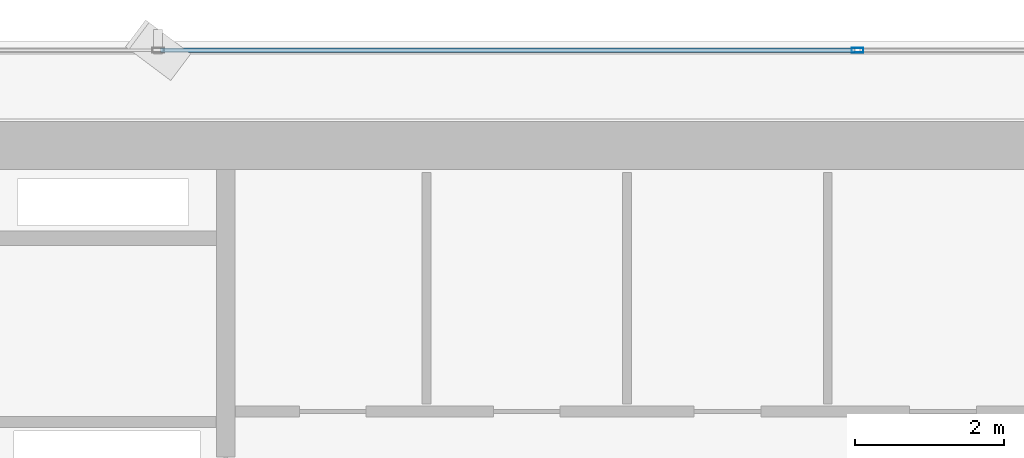
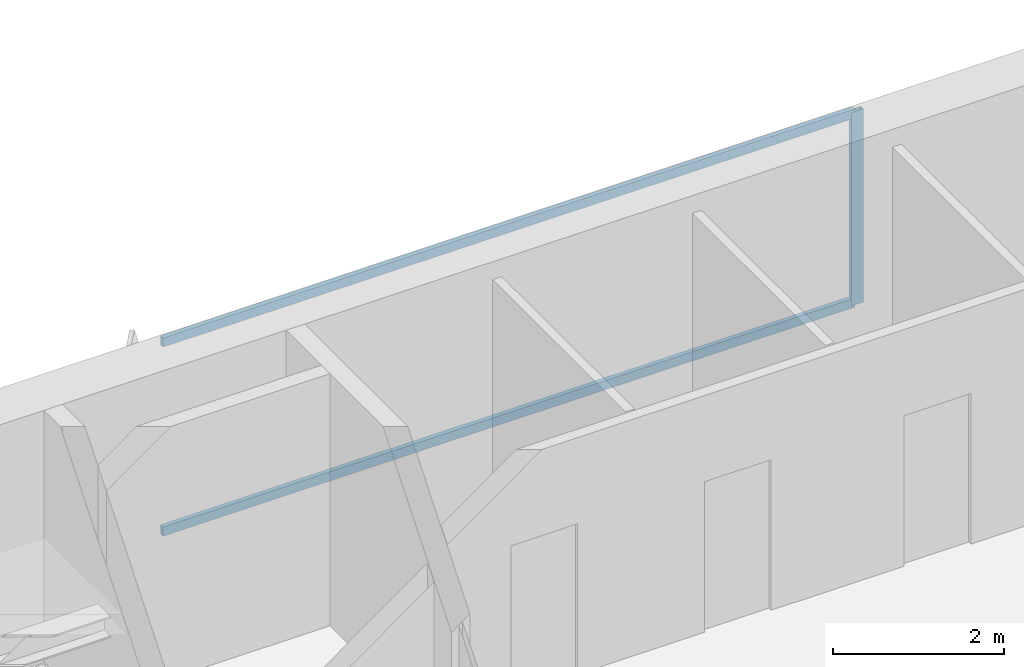
# One storey, part 16 of 28: 3 members, 1 element without a shape of its own.
"""IFC4 building model written with IfcOpenShell, lengths in metres."""

import ifcopenshell
import ifcopenshell.guid

model = None  # the IFC model being written
_history = None  # IfcOwnerHistory: only IFC2X3 demands one
_inside = {}  # id of a spatial element -> (the spatial element, [elements in it])
_under = {}  # id of a project, library or spatial element -> (it, [spatial elements below it])
_declared = {}  # id of a project -> (the project, [libraries it declares])
_typed = {}  # id of a type object -> (the type object, [elements of that type])
_made_of = {}  # id of a material, layer set ... -> (it, [elements and type objects made of it])


def new_model(schema):
    """Start an empty IFC model of exactly this schema.

    Asked for "IFC4X3", IfcOpenShell would pick the latest addendum, in which some entities
    have other attributes; the version numbers below select the first issue.
    IFC2X3 requires an IfcOwnerHistory on every rooted entity: one is made here for all.
    """
    global model, _history
    if schema == "IFC4X3":
        model = ifcopenshell.file(schema_version=(4, 3, 0, 0))
    else:
        model = ifcopenshell.file(schema=schema)
    _inside.clear()
    _under.clear()
    _declared.clear()
    _typed.clear()
    _made_of.clear()
    _history = None
    if model.schema == "IFC2X3":
        org = make("IfcOrganization", Name="unknown")
        user = make(
            "IfcPersonAndOrganization",
            ThePerson=make("IfcPerson", FamilyName="unknown"),
            TheOrganization=org,
        )
        app = make(
            "IfcApplication",
            ApplicationDeveloper=org,
            Version="unknown",
            ApplicationFullName="unknown",
            ApplicationIdentifier="unknown",
        )
        _history = make(
            "IfcOwnerHistory",
            OwningUser=user,
            OwningApplication=app,
            ChangeAction="ADDED",
            CreationDate=0,
        )
    return model


def make(cls, **values):
    """One entity of the class cls with the attributes given. An attribute that is None is left unset."""
    return model.create_entity(
        cls, **{name: value for name, value in values.items() if value is not None}
    )


def rooted(cls, **values):
    """An entity with a GlobalId (a new one), such as an element, a storey or a relation."""
    return make(cls, GlobalId=ifcopenshell.guid.new(), OwnerHistory=_history, **values)


def si_unit(unit_type, name, prefix=None):
    """IfcSIUnit, for example si_unit("LENGTHUNIT", "METRE", prefix="MILLI")."""
    return make("IfcSIUnit", UnitType=unit_type, Prefix=prefix, Name=name)


def assignment(units):
    """IfcUnitAssignment: the units of a project."""
    return None if units is None else make("IfcUnitAssignment", Units=units)


def point(xyz):
    """IfcCartesianPoint."""
    return None if xyz is None else make("IfcCartesianPoint", Coordinates=xyz)


def direction(xyz):
    """IfcDirection."""
    return None if xyz is None else make("IfcDirection", DirectionRatios=xyz)


def frame(location, z_axis=None, x_axis=None):
    """IfcAxis2Placement3D, a coordinate frame: its origin and axes. An axis left out is left unset."""
    return make(
        "IfcAxis2Placement3D",
        Location=point(location),
        Axis=direction(z_axis),
        RefDirection=direction(x_axis),
    )


def frame_2d(location, x_axis=None):
    """IfcAxis2Placement2D, a coordinate frame in the plane: its origin and x axis."""
    return make(
        "IfcAxis2Placement2D", Location=point(location), RefDirection=direction(x_axis)
    )


def origin():
    """The frame at (0, 0, 0) with its axes left unset."""
    return frame((0.0, 0.0, 0.0))


def origin_2d():
    """The frame at (0, 0) in the plane with its x axis left unset."""
    return frame_2d((0.0, 0.0))


def place(relative_to, where):
    """IfcLocalPlacement: puts the frame where relative to a parent placement (None: the world)."""
    return make(
        "IfcLocalPlacement", PlacementRelTo=relative_to, RelativePlacement=where
    )


def context(
    kind, dimensions, precision=None, world=None, true_north=None, identifier=None
):
    """IfcGeometricRepresentationContext, for example the 3D "Model" context."""
    return make(
        "IfcGeometricRepresentationContext",
        ContextIdentifier=identifier,
        ContextType=kind,
        CoordinateSpaceDimension=dimensions,
        Precision=precision,
        WorldCoordinateSystem=world,
        TrueNorth=true_north,
    )


def subcontext(parent, identifier, kind, view, scale=None):
    """IfcGeometricRepresentationSubContext, for example "Body" below "Model"."""
    return make(
        "IfcGeometricRepresentationSubContext",
        ContextIdentifier=identifier,
        ContextType=kind,
        ParentContext=parent,
        TargetScale=scale,
        TargetView=view,
    )


def project(units=None, contexts=None):
    """IfcProject with its units and contexts."""
    return rooted(
        "IfcProject",
        Name="project",
        RepresentationContexts=contexts,
        UnitsInContext=assignment(units),
    )


def spatial(cls, under=None, at=None, **own):
    """A site, building, storey or space (cls), placed at a placement, below another one or the project."""
    s = rooted(cls, ObjectPlacement=at, **own)
    if under is not None:
        _under.setdefault(under.id(), (under, []))[1].append(s)
    return s


def profile(cls, at=None, kind="AREA", **sizes):
    """A parametric profile (cls). Its sizes go by their IFC names, for example OverallWidth=200.0."""
    return make(cls, ProfileType=kind, Position=at, **sizes)


def hollow_rectangle(**sizes):
    """IfcRectangleHollowProfileDef."""
    return profile("IfcRectangleHollowProfileDef", **sizes)


def extrude(swept, where, along, depth):
    """IfcExtrudedAreaSolid: the profile swept, set in the frame where, extruded along a direction by depth."""
    return make(
        "IfcExtrudedAreaSolid",
        SweptArea=swept,
        Position=where,
        ExtrudedDirection=direction(along),
        Depth=depth,
    )


def shape(context_of_items, identifier, shape_type, items):
    """IfcShapeRepresentation: the items that make up one representation, for example the "Body"."""
    return make(
        "IfcShapeRepresentation",
        ContextOfItems=context_of_items,
        RepresentationIdentifier=identifier,
        RepresentationType=shape_type,
        Items=items,
    )


def source(mapping_origin, context_of_items, identifier, shape_type, items):
    """IfcRepresentationMap: a shape defined once, which mapped items show again and again."""
    return make(
        "IfcRepresentationMap",
        MappingOrigin=mapping_origin,
        MappedRepresentation=shape(context_of_items, identifier, shape_type, items),
    )


def transform(
    local_origin,
    x_axis=None,
    y_axis=None,
    z_axis=None,
    scale=None,
    scale2=None,
    scale3=None,
    uniform=True,
):
    """IfcCartesianTransformationOperator3D, or its non-uniform kind. x_axis, y_axis, z_axis: its Axis1, 2, 3."""
    if uniform:
        return make(
            "IfcCartesianTransformationOperator3D",
            Axis1=direction(x_axis),
            Axis2=direction(y_axis),
            LocalOrigin=point(local_origin),
            Scale=scale,
            Axis3=direction(z_axis),
        )
    return make(
        "IfcCartesianTransformationOperator3DnonUniform",
        Axis1=direction(x_axis),
        Axis2=direction(y_axis),
        LocalOrigin=point(local_origin),
        Scale=scale,
        Axis3=direction(z_axis),
        Scale2=scale2,
        Scale3=scale3,
    )


def mapped(mapping_source, mapping_target):
    """IfcMappedItem: shows the shape of a source again, moved by a transform."""
    return make(
        "IfcMappedItem", MappingSource=mapping_source, MappingTarget=mapping_target
    )


def material(Name=None, Category=None):
    """IfcMaterial."""
    return make("IfcMaterial", Name=Name, Category=Category)


def layer(
    of_material, thickness, ventilated=None, Name=None, Category=None, Priority=None
):
    """IfcMaterialLayer: one layer of a wall or slab, of a material (None: an air gap)."""
    return make(
        "IfcMaterialLayer",
        Material=of_material,
        LayerThickness=thickness,
        IsVentilated=ventilated,
        Name=Name,
        Category=Category,
        Priority=Priority,
    )


def layer_set(layers, Name=None):
    """IfcMaterialLayerSet."""
    return make("IfcMaterialLayerSet", MaterialLayers=layers, LayerSetName=Name)


def material_profile(
    of_material, cross_section, Name=None, Category=None, Priority=None
):
    """IfcMaterialProfile: a cross section and its material."""
    return make(
        "IfcMaterialProfile",
        Name=Name,
        Material=of_material,
        Profile=cross_section,
        Priority=Priority,
        Category=Category,
    )


def profile_set(profiles, Name=None, composite=None):
    """IfcMaterialProfileSet."""
    return make(
        "IfcMaterialProfileSet",
        Name=Name,
        MaterialProfiles=profiles,
        CompositeProfile=composite,
    )


def made_of(thing, what):
    """Note that an element or type object is made of a material, layer set ...; save() writes the relation."""
    if what is not None:
        _made_of.setdefault(what.id(), (what, []))[1].append(thing)
    return thing


def type_object(cls, material=None, **own):
    """A type object (cls), such as IfcWallType, which elements share."""
    return made_of(rooted(cls, **own), material)


def element(
    cls,
    number,
    at=None,
    inside=None,
    cuts=None,
    type_object=None,
    material=None,
    context=None,
    identifier="Body",
    shape_type=None,
    held_by="IfcProductDefinitionShape",
    body=None,
    shapes=None,
    **own,
):
    """One element of the class cls, such as IfcWall. Its Tag is "e" and its number.

    at: its placement. inside: the storey or other place that contains it. cuts: it is an
    opening in that element (IfcRelVoidsElement). A single representation is given by context,
    identifier, shape_type and body (its items); several are given by shapes. held_by: the class
    of the entity that holds the representations. save() writes the other relations.
    """
    e = rooted(cls, Tag="e%d" % number, ObjectPlacement=at, **own)
    if body is not None:
        shapes = [shape(context, identifier, shape_type, body)]
    if shapes is not None:
        e.Representation = make(held_by, Representations=shapes)
    if inside is not None:
        _inside.setdefault(inside.id(), (inside, []))[1].append(e)
    if cuts is not None:
        rooted(
            "IfcRelVoidsElement", RelatingBuildingElement=cuts, RelatedOpeningElement=e
        )
    if type_object is not None:
        _typed.setdefault(type_object.id(), (type_object, []))[1].append(e)
    return made_of(e, material)


def aggregate(whole, parts):
    """IfcRelAggregates: a whole, such as a stair, and the parts it consists of."""
    return rooted("IfcRelAggregates", RelatingObject=whole, RelatedObjects=parts)


def save(model, path):
    """Write the relations noted so far, then the file.

    IfcRelAggregates (storeys below a building ...), IfcRelContainedInSpatialStructure (elements
    in a storey), IfcRelDefinesByType, IfcRelAssociatesMaterial and IfcRelDeclares: one each for
    every whole, place, type object, material and project.
    """
    for whole, parts in _under.values():
        aggregate(whole, parts)
    for where, things in _inside.values():
        rooted(
            "IfcRelContainedInSpatialStructure",
            RelatedElements=things,
            RelatingStructure=where,
        )
    for kind, things in _typed.values():
        rooted("IfcRelDefinesByType", RelatedObjects=things, RelatingType=kind)
    for what, things in _made_of.values():
        rooted("IfcRelAssociatesMaterial", RelatedObjects=things, RelatingMaterial=what)
    for by, libraries in _declared.values():
        rooted("IfcRelDeclares", RelatingContext=by, RelatedDefinitions=libraries)
    model.write(path)


model = new_model("IFC4")

# Units and contexts
model_context = context("Model", 3, precision=1e-05, world=origin(), true_north=direction((0.0, 1.0)))
body_context = subcontext(model_context, "Body", "Model", "MODEL_VIEW")
ifc_project = project(units=[si_unit("LENGTHUNIT", "METRE"), si_unit("AREAUNIT", "SQUARE_METRE"), si_unit("VOLUMEUNIT", "CUBIC_METRE"), si_unit("PLANEANGLEUNIT", "RADIAN"), si_unit("MASSUNIT", "GRAM", prefix="KILO")], contexts=[model_context])

# Site, building, storey
site_placement = place(None, origin())
site = spatial("IfcSite", under=ifc_project, at=site_placement, CompositionType="ELEMENT")
building_placement = place(site_placement, origin())
building = spatial("IfcBuilding", under=site, at=building_placement, Name="Sumidabori Civic Tower", CompositionType="ELEMENT")
storey_placement = place(building_placement, frame((0.0, 0.0, 182.0)))
storey = spatial("IfcBuildingStorey", under=building, at=storey_placement, Name="L47", CompositionType="ELEMENT", Elevation=182.0)

# Curtain wall, members
ifc_material = material(Name="Anodised Bronze Aluminium AW-6063-T6", Category="aluminium")
ifc_layer = layer(ifc_material, 0.179931640625, Name="Anodised Bronze Aluminium AW-6063-T6")
ifc_layer_set = layer_set([ifc_layer], Name="Anodised Bronze Aluminium AW-6063-T6")
curtain_wall_type = type_object("IfcCurtainWallType", Name="CW-SYS-3", PredefinedType="NOTDEFINED", material=ifc_layer_set)
curtain_wall_placement = place(storey_placement, origin())
curtain_wall = element("IfcCurtainWall", 1, at=curtain_wall_placement, inside=storey, type_object=curtain_wall_type, Name="Curtain Wall CW:L47:R07", PredefinedType="NOTDEFINED")
ifc_material_profile_1 = material_profile(ifc_material, hollow_rectangle(XDim=0.06494140625, YDim=0.159912109375, WallThickness=0.0048828125, at=origin_2d()), Name="ALU MULLION 160x65")
ifc_profile_set_1 = profile_set([ifc_material_profile_1], Name="Anodised Bronze Aluminium AW-6063-T6")
member_type_1 = type_object("IfcMemberType", Name="CW-MUL-160", PredefinedType="MULLION", material=ifc_profile_set_1)
shared_shape_1 = source(origin(), body_context, "Body", "SweptSolid", [
    extrude(hollow_rectangle(XDim=0.06494140625, YDim=0.159912109375, WallThickness=0.0048828125, at=origin_2d()), origin(), (0.0, 0.0, 1.0), 2.760009765625),
])
member_1_placement = place(storey_placement, frame((0.0, 25.080078125, 0.0), z_axis=(0.0, 0.0, 1.0), x_axis=(0.0, -1.0, 0.0)))
member_1 = element("IfcMember", 2, at=member_1_placement, type_object=member_type_1, Name="CW-3 mullion 3", PredefinedType="MULLION", context=body_context, shape_type="MappedRepresentation", body=[
    mapped(shared_shape_1, transform((0.0, 0.0, 0.0), x_axis=(1.0, 0.0, 0.0), y_axis=(0.0, 1.0, 0.0), z_axis=(0.0, 0.0, 1.0), scale=1.0)),
])
ifc_material_profile_2 = material_profile(ifc_material, hollow_rectangle(XDim=0.06005859375, YDim=0.1298828125, WallThickness=0.0048828125, at=origin_2d()), Name="ALU TRANSOM 130x60")
ifc_profile_set_2 = profile_set([ifc_material_profile_2], Name="Anodised Bronze Aluminium AW-6063-T6")
member_type_2 = type_object("IfcMemberType", Name="CW-TRN-130", PredefinedType="USERDEFINED", material=ifc_profile_set_2)
shared_shape_2 = source(origin(), body_context, "Body", "SweptSolid", [
    extrude(hollow_rectangle(XDim=0.06005859375, YDim=0.1298828125, WallThickness=0.0048828125, at=origin_2d()), origin(), (0.0, 0.0, 1.0), 9.344970703125),
])
member_2_placement = place(storey_placement, frame((-0.032470703125, 25.080078125, 0.030029296875), z_axis=(-1.0, 0.0, 0.0), x_axis=(0.0, -1.0, 0.0)))
member_2 = element("IfcMember", 3, at=member_2_placement, type_object=member_type_2, Name="CW-3 transom 3.1", ObjectType="TRANSOM", PredefinedType="USERDEFINED", context=body_context, shape_type="MappedRepresentation", body=[
    mapped(shared_shape_2, transform((0.0, 0.0, 0.0), x_axis=(1.0, 0.0, 0.0), y_axis=(0.0, 1.0, 0.0), z_axis=(0.0, 0.0, 1.0), scale=1.0)),
])
member_3_placement = place(storey_placement, frame((-0.032470703125, 25.080078125, 2.72998046875), z_axis=(-1.0, 0.0, 0.0), x_axis=(0.0, -1.0, 0.0)))
member_3 = element("IfcMember", 4, at=member_3_placement, type_object=member_type_2, Name="CW-3 transom 3.2", ObjectType="TRANSOM", PredefinedType="USERDEFINED", context=body_context, shape_type="MappedRepresentation", body=[
    mapped(shared_shape_2, transform((0.0, 0.0, 0.0), x_axis=(1.0, 0.0, 0.0), y_axis=(0.0, 1.0, 0.0), z_axis=(0.0, 0.0, 1.0), scale=1.0)),
])
aggregate(curtain_wall, [member_1, member_2, member_3])

save(model, "model.ifc")
